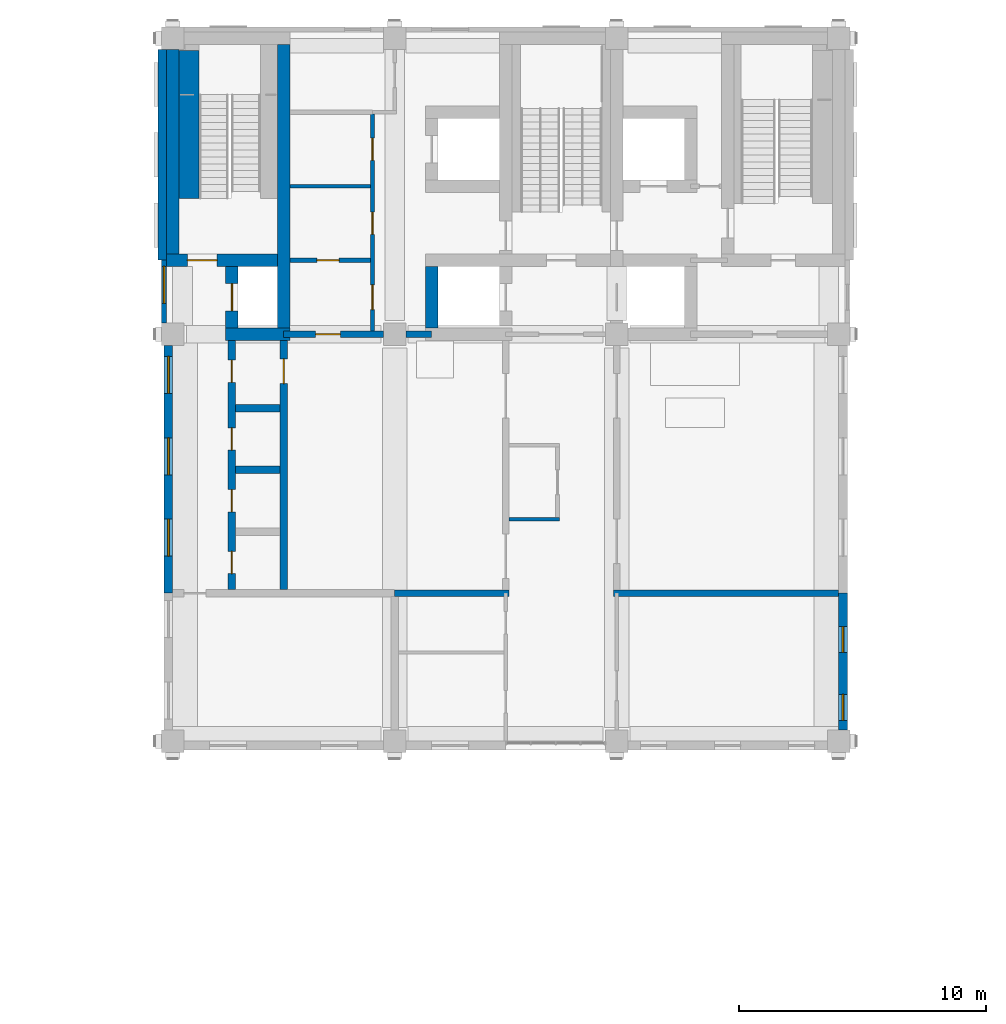
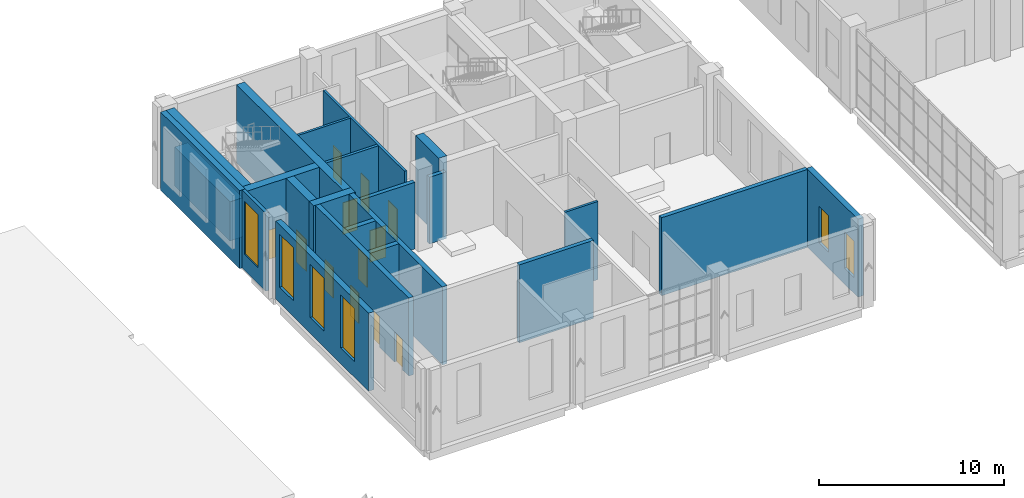
# One storey, part 21 of 33: 23 walls, 12 doors, 6 windows, 18 openings.
"""IFC4 building model written with IfcOpenShell, lengths in metres."""

from ifc_helpers import new_model, si_unit, direction, frame, frame_2d, origin, place, context, subcontext, project, spatial, rectangle, extrude, material, layer, layer_set, type_object, element, fill, save


model = new_model("IFC4")

# Units and contexts
model_context = context("Model", 3, precision=1e-05, world=origin(), true_north=direction((0.0, 1.0)))
body_context = subcontext(model_context, "Body", "Model", "MODEL_VIEW")
ifc_project = project(units=[si_unit("LENGTHUNIT", "METRE"), si_unit("AREAUNIT", "SQUARE_METRE"), si_unit("VOLUMEUNIT", "CUBIC_METRE"), si_unit("PLANEANGLEUNIT", "RADIAN"), si_unit("MASSUNIT", "GRAM", prefix="KILO")], contexts=[model_context])

# Site, building, storey
site_placement = place(None, origin())
site = spatial("IfcSite", under=ifc_project, at=site_placement, CompositionType="ELEMENT")
building_placement = place(site_placement, origin())
building = spatial("IfcBuilding", under=site, at=building_placement, Name="Aurelan Courthouse", CompositionType="ELEMENT")
storey_placement = place(building_placement, frame((0.0, 0.0, 22.800048828125)))
storey = spatial("IfcBuildingStorey", under=building, at=storey_placement, Name="L04", CompositionType="ELEMENT", Elevation=22.800048828125)

# Wall, opening, door
ifc_material_1 = material(Name="Gypsum board on metal studs")
ifc_layer_1 = layer(ifc_material_1, 0.175048828125)
ifc_layer_set_1 = layer_set([ifc_layer_1], Name="Gypsum board on metal studs")
wall_type_1 = type_object("IfcWallType", Name="Chambers acoustic partition 175 NOT RATED", PredefinedType="PARTITIONING", material=ifc_layer_set_1)
wall_1_placement = place(storey_placement, frame((40.75, 57.0, 0.0), z_axis=(0.0, 0.0, 1.0), x_axis=(1.0, 0.0, 0.0)))
wall_1 = element("IfcWall", 1, at=wall_1_placement, inside=storey, type_object=wall_type_1, Name="Chambers acoustic partition L04-032", PredefinedType="PARTITIONING", context=body_context, shape_type="SweptSolid", body=[
    extrude(rectangle(XDim=3.27490234375, YDim=0.175048828125, at=frame_2d((1.637451171875, 0.0))), origin(), (0.0, 0.0, 1.0), 5.14990234375),
])
opening_1_placement = place(wall_1_placement, frame((2.0, 0.0, 0.0), z_axis=(0.0, 0.0, 1.0), x_axis=(-1.0, 0.0, 0.0)))
opening_1 = element("IfcOpeningElement", 2, at=opening_1_placement, cuts=wall_1, Name="Opening D-L04-029", PredefinedType="OPENING", context=body_context, shape_type="SweptSolid", body=[
    extrude(rectangle(XDim=0.89990234375, YDim=2.10009765625, at=frame_2d((0.449951171875, 1.050048828125))), frame((0.0, 0.097412109375, 0.0), z_axis=(0.0, -1.0, 0.0), x_axis=(1.0, 0.0, 0.0)), (0.0, 0.0, 1.0), 0.195068359375),
])
ifc_material_2 = material(Name="Timber", Category="wood")
door_type_1 = type_object("IfcDoorType", Name="Single door 900 x 2100 NOT RATED", OperationType="SINGLE_SWING_LEFT", PredefinedType="DOOR", material=ifc_material_2)
door_1_placement = place(opening_1_placement, origin())
door_1 = element("IfcDoor", 3, at=door_1_placement, inside=storey, type_object=door_type_1, Name="Single door D-L04-029", OperationType="SINGLE_SWING_LEFT", OverallHeight=2.10009765625, OverallWidth=0.89990234375, PredefinedType="DOOR", context=body_context, shape_type="SweptSolid", body=[
    extrude(rectangle(XDim=0.89990234375, YDim=2.10009765625, at=frame_2d((0.449951171875, 1.050048828125))), frame((0.0, 0.02490234375, 0.0), z_axis=(0.0, -1.0, 0.0), x_axis=(1.0, 0.0, 0.0)), (0.0, 0.0, 1.0), 0.050048828125),
])
fill(opening_1, door_1)

# Wall
ifc_layer_2 = layer(ifc_material_1, 0.14990234375)
ifc_layer_set_2 = layer_set([ifc_layer_2], Name="Gypsum board on metal studs")
wall_type_2 = type_object("IfcWallType", Name="Corridor partition 150 EI 60", PredefinedType="PARTITIONING", material=ifc_layer_set_2)
wall_2_placement = place(storey_placement, frame((49.625, 46.5, 0.0), z_axis=(0.0, 0.0, 1.0), x_axis=(1.0, 0.0, 0.0)))
element("IfcWall", 4, at=wall_2_placement, inside=storey, type_object=wall_type_2, Name="Corridor partition L04-018", PredefinedType="PARTITIONING", context=body_context, shape_type="SweptSolid", body=[
    extrude(rectangle(XDim=2.050048828125, YDim=0.14990234375, at=frame_2d((1.02490234375, 0.0))), origin(), (0.0, 0.0, 1.0), 5.14990234375),
])

# Wall, openings, doors
wall_3_placement = place(storey_placement, frame((44.10009765625, 54.125, 0.0), z_axis=(0.0, 0.0, 1.0), x_axis=(0.0, 1.0, 0.0)))
wall_3 = element("IfcWall", 5, at=wall_3_placement, inside=storey, type_object=wall_type_2, Name="Corridor partition L04-052", PredefinedType="PARTITIONING", context=body_context, shape_type="SweptSolid", body=[
    extrude(rectangle(XDim=8.800048828125, YDim=0.14990234375, at=frame_2d((4.39990234375, 0.0))), origin(), (0.0, 0.0, 1.0), 5.14990234375),
])
opening_2_placement = place(wall_3_placement, frame((0.875, 0.0, 0.0)))
opening_2 = element("IfcOpeningElement", 6, at=opening_2_placement, cuts=wall_3, Name="Opening D-L04-027", PredefinedType="OPENING", context=body_context, shape_type="SweptSolid", body=[
    extrude(rectangle(XDim=1.0, YDim=2.10009765625, at=frame_2d((0.5, 1.050048828125))), frame((0.0, 0.0849609375, 0.0), z_axis=(0.0, -1.0, 0.0), x_axis=(1.0, 0.0, 0.0)), (0.0, 0.0, 1.0), 0.169921875),
])
opening_3_placement = place(wall_3_placement, frame((3.925048828125, 0.0, 0.0)))
opening_3 = element("IfcOpeningElement", 7, at=opening_3_placement, cuts=wall_3, Name="Opening D-L04-028", PredefinedType="OPENING", context=body_context, shape_type="SweptSolid", body=[
    extrude(rectangle(XDim=0.89990234375, YDim=2.10009765625, at=frame_2d((0.449951171875, 1.050048828125))), frame((0.0, 0.0849609375, 0.0), z_axis=(0.0, -1.0, 0.0), x_axis=(1.0, 0.0, 0.0)), (0.0, 0.0, 1.0), 0.169921875),
])
opening_4_placement = place(wall_3_placement, frame((6.925048828125, 0.0, 0.0)))
opening_4 = element("IfcOpeningElement", 8, at=opening_4_placement, cuts=wall_3, Name="Opening D-L04-030", PredefinedType="OPENING", context=body_context, shape_type="SweptSolid", body=[
    extrude(rectangle(XDim=0.89990234375, YDim=2.10009765625, at=frame_2d((0.449951171875, 1.050048828125))), frame((0.0, 0.0849609375, 0.0), z_axis=(0.0, -1.0, 0.0), x_axis=(1.0, 0.0, 0.0)), (0.0, 0.0, 1.0), 0.169921875),
])
ifc_material_3 = material(Name="Steel", Category="steel")
door_type_2 = type_object("IfcDoorType", Name="Single door 1000 x 2100 FD60", OperationType="SINGLE_SWING_LEFT", PredefinedType="DOOR", material=ifc_material_3)
door_2_placement = place(opening_2_placement, origin())
door_2 = element("IfcDoor", 9, at=door_2_placement, inside=storey, type_object=door_type_2, Name="Single door D-L04-027", OperationType="SINGLE_SWING_RIGHT", OverallHeight=2.10009765625, OverallWidth=1.0, PredefinedType="DOOR", context=body_context, shape_type="SweptSolid", body=[
    extrude(rectangle(XDim=1.0, YDim=2.10009765625, at=frame_2d((0.5, 1.050048828125))), frame((0.0, 0.02490234375, 0.0), z_axis=(0.0, -1.0, 0.0), x_axis=(1.0, 0.0, 0.0)), (0.0, 0.0, 1.0), 0.050048828125),
])
fill(opening_2, door_2)
door_type_3 = type_object("IfcDoorType", Name="Single door 900 x 2100 FD60", OperationType="SINGLE_SWING_LEFT", PredefinedType="DOOR", material=ifc_material_3)
door_3_placement = place(opening_3_placement, origin())
door_3 = element("IfcDoor", 10, at=door_3_placement, inside=storey, type_object=door_type_3, Name="Single door D-L04-028", OperationType="SINGLE_SWING_LEFT", OverallHeight=2.10009765625, OverallWidth=0.89990234375, PredefinedType="DOOR", context=body_context, shape_type="SweptSolid", body=[
    extrude(rectangle(XDim=0.89990234375, YDim=2.10009765625, at=frame_2d((0.449951171875, 1.050048828125))), frame((0.0, 0.02490234375, 0.0), z_axis=(0.0, -1.0, 0.0), x_axis=(1.0, 0.0, 0.0)), (0.0, 0.0, 1.0), 0.050048828125),
])
fill(opening_3, door_3)
door_4_placement = place(opening_4_placement, origin())
door_4 = element("IfcDoor", 11, at=door_4_placement, inside=storey, type_object=door_type_3, Name="Single door D-L04-030", OperationType="SINGLE_SWING_LEFT", OverallHeight=2.10009765625, OverallWidth=0.89990234375, PredefinedType="DOOR", context=body_context, shape_type="SweptSolid", body=[
    extrude(rectangle(XDim=0.89990234375, YDim=2.10009765625, at=frame_2d((0.449951171875, 1.050048828125))), frame((0.0, 0.02490234375, 0.0), z_axis=(0.0, -1.0, 0.0), x_axis=(1.0, 0.0, 0.0)), (0.0, 0.0, 1.0), 0.050048828125),
])
fill(opening_4, door_4)

# Wall, opening, window
ifc_material_4 = material(Name="Limestone cladding", Category="masonry")
ifc_layer_3 = layer(ifc_material_4, 0.054931640625, Name="Facing")
ifc_material_5 = material(Name="Ventilated cavity")
ifc_layer_4 = layer(ifc_material_5, 0.02490234375, ventilated=True, Name="Ventilated cavity")
ifc_material_6 = material(Name="Mineral wool insulation")
ifc_layer_5 = layer(ifc_material_6, 0.030029296875, Name="Insulation")
ifc_material_7 = material(Name="Concrete C30", Category="concrete")
ifc_layer_6 = layer(ifc_material_7, 0.090087890625, Name="Structure")
ifc_layer_set_3 = layer_set([ifc_layer_3, ifc_layer_4, ifc_layer_5, ifc_layer_6], Name="Concrete C30")
wall_type_3 = type_object("IfcWallType", Name="Courtroom Block stone-faced wall 200", PredefinedType="SOLIDWALL", material=ifc_layer_set_3)
wall_4_placement = place(storey_placement, frame((35.64990234375, 54.449951171875, 0.0), z_axis=(0.0, 0.0, 1.0), x_axis=(0.0, 1.0, 0.0)))
wall_4 = element("IfcWall", 12, at=wall_4_placement, inside=storey, type_object=wall_type_3, Name="Facade wall FW-V2-L04-013", PredefinedType="SOLIDWALL", context=body_context, shape_type="SweptSolid", body=[
    extrude(rectangle(XDim=2.550048828125, YDim=0.199951171875, at=frame_2d((1.27490234375, 0.0))), origin(), (0.0, 0.0, 1.0), 5.14990234375),
])
opening_5_placement = place(wall_4_placement, frame((0.800048828125, 0.0, 1.050048828125)))
opening_5 = element("IfcOpeningElement", 13, at=opening_5_placement, cuts=wall_4, Name="Opening WN-V2-L04-020", PredefinedType="OPENING", context=body_context, shape_type="SweptSolid", body=[
    extrude(rectangle(XDim=1.5, YDim=3.5, at=frame_2d((0.75, 1.75))), frame((0.0, 0.10986328125, 0.0), z_axis=(0.0, -1.0, 0.0), x_axis=(1.0, 0.0, 0.0)), (0.0, 0.0, 1.0), 0.219970703125),
])
ifc_material_8 = material(Name="Bronze-finished aluminium and glass", Category="aluminium")
window_type_1 = type_object("IfcWindowType", Name="Courtroom Block glazed slot 1500 x 3500, sill 1050", PartitioningType="SINGLE_PANEL", PredefinedType="WINDOW", material=ifc_material_8)
window_1_placement = place(opening_5_placement, origin())
window_1 = element("IfcWindow", 14, at=window_1_placement, inside=storey, type_object=window_type_1, Name="Glazed slot WN-V2-L04-020", OverallHeight=3.5, OverallWidth=1.5, PartitioningType="SINGLE_PANEL", PredefinedType="WINDOW", context=body_context, shape_type="SweptSolid", body=[
    extrude(rectangle(XDim=1.5, YDim=3.5, at=frame_2d((0.75, 1.75))), frame((0.0, 0.030029296875, 0.0), z_axis=(0.0, -1.0, 0.0), x_axis=(1.0, 0.0, 0.0)), (0.0, 0.0, 1.0), 0.06005859375),
])
fill(opening_5, window_1)

# Wall, openings, windows
ifc_layer_7 = layer(ifc_material_4, 0.10009765625, Name="Facing")
ifc_layer_8 = layer(ifc_material_5, 0.02490234375, ventilated=True, Name="Ventilated cavity")
ifc_layer_9 = layer(ifc_material_6, 0.050048828125, Name="Insulation")
ifc_layer_10 = layer(ifc_material_7, 0.175048828125, Name="Structure")
ifc_layer_set_4 = layer_set([ifc_layer_7, ifc_layer_8, ifc_layer_9, ifc_layer_10], Name="Concrete C30")
wall_type_4 = type_object("IfcWallType", Name="Courtroom Block stone-faced wall 350", PredefinedType="SOLIDWALL", material=ifc_layer_set_4)
wall_5_placement = place(storey_placement, frame((63.175048828125, 37.949951171875, 0.0), z_axis=(0.0, 0.0, 1.0), x_axis=(0.0, 1.0, 0.0)))
wall_5 = element("IfcWall", 15, at=wall_5_placement, inside=storey, type_object=wall_type_4, Name="Facade wall FW-V2-L04-007", PredefinedType="SOLIDWALL", context=body_context, shape_type="SweptSolid", body=[
    extrude(rectangle(XDim=5.550048828125, YDim=0.35009765625, at=frame_2d((2.77490234375, 0.0))), origin(), (0.0, 0.0, 1.0), 5.14990234375),
])
opening_6_placement = place(wall_5_placement, frame((0.39990234375, 0.0, 1.050048828125)))
opening_6 = element("IfcOpeningElement", 16, at=opening_6_placement, cuts=wall_5, Name="Opening WN-V2-L04-009", PredefinedType="OPENING", context=body_context, shape_type="SweptSolid", body=[
    extrude(rectangle(XDim=1.050048828125, YDim=2.39990234375, at=frame_2d((0.52490234375, 1.199951171875))), frame((0.0, 0.18505859375, 0.0), z_axis=(0.0, -1.0, 0.0), x_axis=(1.0, 0.0, 0.0)), (0.0, 0.0, 1.0), 0.3701171875),
])
opening_7_placement = place(wall_5_placement, frame((3.14990234375, 0.0, 1.050048828125)))
opening_7 = element("IfcOpeningElement", 17, at=opening_7_placement, cuts=wall_5, Name="Opening WN-V2-L04-010", PredefinedType="OPENING", context=body_context, shape_type="SweptSolid", body=[
    extrude(rectangle(XDim=1.050048828125, YDim=2.39990234375, at=frame_2d((0.52490234375, 1.199951171875))), frame((0.0, 0.18505859375, 0.0), z_axis=(0.0, -1.0, 0.0), x_axis=(1.0, 0.0, 0.0)), (0.0, 0.0, 1.0), 0.3701171875),
])
window_type_2 = type_object("IfcWindowType", Name="Courtroom Block window 1050 x 2400, sill 1050", PartitioningType="SINGLE_PANEL", PredefinedType="WINDOW", material=ifc_material_8)
window_2_placement = place(opening_6_placement, origin())
window_2 = element("IfcWindow", 18, at=window_2_placement, inside=storey, type_object=window_type_2, Name="Window WN-V2-L04-009", OverallHeight=2.39990234375, OverallWidth=1.050048828125, PartitioningType="SINGLE_PANEL", PredefinedType="WINDOW", context=body_context, shape_type="SweptSolid", body=[
    extrude(rectangle(XDim=1.050048828125, YDim=2.39990234375, at=frame_2d((0.52490234375, 1.199951171875))), frame((0.0, 0.030029296875, 0.0), z_axis=(0.0, -1.0, 0.0), x_axis=(1.0, 0.0, 0.0)), (0.0, 0.0, 1.0), 0.06005859375),
])
fill(opening_6, window_2)
window_3_placement = place(opening_7_placement, origin())
window_3 = element("IfcWindow", 19, at=window_3_placement, inside=storey, type_object=window_type_2, Name="Window WN-V2-L04-010", OverallHeight=2.39990234375, OverallWidth=1.050048828125, PartitioningType="SINGLE_PANEL", PredefinedType="WINDOW", context=body_context, shape_type="SweptSolid", body=[
    extrude(rectangle(XDim=1.050048828125, YDim=2.39990234375, at=frame_2d((0.52490234375, 1.199951171875))), frame((0.0, 0.030029296875, 0.0), z_axis=(0.0, -1.0, 0.0), x_axis=(1.0, 0.0, 0.0)), (0.0, 0.0, 1.0), 0.06005859375),
])
fill(opening_7, window_3)

wall_6_placement = place(storey_placement, frame((35.824951171875, 43.5, 0.0), z_axis=(0.0, 0.0, 1.0), x_axis=(0.0, 1.0, 0.0)))
wall_6 = element("IfcWall", 20, at=wall_6_placement, inside=storey, type_object=wall_type_4, Name="Facade wall FW-V2-L04-012", PredefinedType="SOLIDWALL", context=body_context, shape_type="SweptSolid", body=[
    extrude(rectangle(XDim=10.050048828125, YDim=0.35009765625, at=frame_2d((5.02490234375, 0.0))), origin(), (0.0, 0.0, 1.0), 5.14990234375),
])
opening_8_placement = place(wall_6_placement, frame((1.5, 0.0, 1.050048828125)))
opening_8 = element("IfcOpeningElement", 21, at=opening_8_placement, cuts=wall_6, Name="Opening WN-V2-L04-017", PredefinedType="OPENING", context=body_context, shape_type="SweptSolid", body=[
    extrude(rectangle(XDim=1.5, YDim=3.5, at=frame_2d((0.75, 1.75))), frame((0.0, 0.18505859375, 0.0), z_axis=(0.0, -1.0, 0.0), x_axis=(1.0, 0.0, 0.0)), (0.0, 0.0, 1.0), 0.3701171875),
])
opening_9_placement = place(wall_6_placement, frame((4.800048828125, 0.0, 1.050048828125)))
opening_9 = element("IfcOpeningElement", 22, at=opening_9_placement, cuts=wall_6, Name="Opening WN-V2-L04-018", PredefinedType="OPENING", context=body_context, shape_type="SweptSolid", body=[
    extrude(rectangle(XDim=1.5, YDim=3.5, at=frame_2d((0.75, 1.75))), frame((0.0, 0.18505859375, 0.0), z_axis=(0.0, -1.0, 0.0), x_axis=(1.0, 0.0, 0.0)), (0.0, 0.0, 1.0), 0.3701171875),
])
opening_10_placement = place(wall_6_placement, frame((8.10009765625, 0.0, 1.050048828125)))
opening_10 = element("IfcOpeningElement", 23, at=opening_10_placement, cuts=wall_6, Name="Opening WN-V2-L04-019", PredefinedType="OPENING", context=body_context, shape_type="SweptSolid", body=[
    extrude(rectangle(XDim=1.5, YDim=3.5, at=frame_2d((0.75, 1.75))), frame((0.0, 0.18505859375, 0.0), z_axis=(0.0, -1.0, 0.0), x_axis=(1.0, 0.0, 0.0)), (0.0, 0.0, 1.0), 0.3701171875),
])
window_4_placement = place(opening_8_placement, origin())
window_4 = element("IfcWindow", 24, at=window_4_placement, inside=storey, type_object=window_type_1, Name="Glazed slot WN-V2-L04-017", OverallHeight=3.5, OverallWidth=1.5, PartitioningType="SINGLE_PANEL", PredefinedType="WINDOW", context=body_context, shape_type="SweptSolid", body=[
    extrude(rectangle(XDim=1.5, YDim=3.5, at=frame_2d((0.75, 1.75))), frame((0.0, 0.030029296875, 0.0), z_axis=(0.0, -1.0, 0.0), x_axis=(1.0, 0.0, 0.0)), (0.0, 0.0, 1.0), 0.06005859375),
])
fill(opening_8, window_4)
window_5_placement = place(opening_9_placement, origin())
window_5 = element("IfcWindow", 25, at=window_5_placement, inside=storey, type_object=window_type_1, Name="Glazed slot WN-V2-L04-018", OverallHeight=3.5, OverallWidth=1.5, PartitioningType="SINGLE_PANEL", PredefinedType="WINDOW", context=body_context, shape_type="SweptSolid", body=[
    extrude(rectangle(XDim=1.5, YDim=3.5, at=frame_2d((0.75, 1.75))), frame((0.0, 0.030029296875, 0.0), z_axis=(0.0, -1.0, 0.0), x_axis=(1.0, 0.0, 0.0)), (0.0, 0.0, 1.0), 0.06005859375),
])
fill(opening_9, window_5)
window_6_placement = place(opening_10_placement, origin())
window_6 = element("IfcWindow", 26, at=window_6_placement, inside=storey, type_object=window_type_1, Name="Glazed slot WN-V2-L04-019", OverallHeight=3.5, OverallWidth=1.5, PartitioningType="SINGLE_PANEL", PredefinedType="WINDOW", context=body_context, shape_type="SweptSolid", body=[
    extrude(rectangle(XDim=1.5, YDim=3.5, at=frame_2d((0.75, 1.75))), frame((0.0, 0.030029296875, 0.0), z_axis=(0.0, -1.0, 0.0), x_axis=(1.0, 0.0, 0.0)), (0.0, 0.0, 1.0), 0.06005859375),
])
fill(opening_10, window_6)

# Walls
wall_7_placement = place(storey_placement, frame((35.574951171875, 57.0, 0.0), z_axis=(0.0, 0.0, 1.0), x_axis=(0.0, 1.0, 0.0)))
element("IfcWall", 27, at=wall_7_placement, inside=storey, type_object=wall_type_4, Name="Facade wall FW-V2-L04-014", PredefinedType="SOLIDWALL", context=body_context, shape_type="SweptSolid", body=[
    extrude(rectangle(XDim=8.550048828125, YDim=0.35009765625, at=frame_2d((4.27490234375, 0.0))), origin(), (0.0, 0.0, 1.0), 5.14990234375),
])
ifc_material_9 = material(Name="Masonry block", Category="masonry")
ifc_layer_11 = layer(ifc_material_9, 0.25)
ifc_layer_set_5 = layer_set([ifc_layer_11], Name="Masonry block")
wall_type_5 = type_object("IfcWallType", Name="Courtroom wall 250 EI 60", PredefinedType="PARTITIONING", material=ifc_layer_set_5)
wall_8_placement = place(storey_placement, frame((45.0, 43.5, 0.0), z_axis=(0.0, 0.0, 1.0), x_axis=(1.0, 0.0, 0.0)))
element("IfcWall", 28, at=wall_8_placement, inside=storey, type_object=wall_type_5, Name="Courtroom wall L04-015", PredefinedType="PARTITIONING", context=body_context, shape_type="SweptSolid", body=[
    extrude(rectangle(XDim=4.625, YDim=0.25, at=frame_2d((2.3125, 0.0))), origin(), (0.0, 0.0, 1.0), 5.14990234375),
])
wall_9_placement = place(storey_placement, frame((53.875, 43.5, 0.0), z_axis=(0.0, 0.0, 1.0), x_axis=(1.0, 0.0, 0.0)))
element("IfcWall", 29, at=wall_9_placement, inside=storey, type_object=wall_type_5, Name="Courtroom wall L04-016", PredefinedType="PARTITIONING", context=body_context, shape_type="SweptSolid", body=[
    extrude(rectangle(XDim=9.125, YDim=0.25, at=frame_2d((4.5625, 0.0))), origin(), (0.0, 0.0, 1.0), 5.14990234375),
])

# Wall, opening, door
wall_10_placement = place(storey_placement, frame((40.5, 54.0, 0.0), z_axis=(0.0, 0.0, 1.0), x_axis=(1.0, 0.0, 0.0)))
wall_10 = element("IfcWall", 30, at=wall_10_placement, inside=storey, type_object=wall_type_5, Name="Courtroom wall L04-022", PredefinedType="PARTITIONING", context=body_context, shape_type="SweptSolid", body=[
    extrude(rectangle(XDim=4.050048828125, YDim=0.25, at=frame_2d((2.02490234375, 0.0))), origin(), (0.0, 0.0, 1.0), 4.39990234375),
])
opening_11_placement = place(wall_10_placement, frame((2.300048828125, 0.0, 0.0), z_axis=(0.0, 0.0, 1.0), x_axis=(-1.0, 0.0, 0.0)))
opening_11 = element("IfcOpeningElement", 31, at=opening_11_placement, cuts=wall_10, Name="Opening D-L04-032", PredefinedType="OPENING", context=body_context, shape_type="SweptSolid", body=[
    extrude(rectangle(XDim=1.0, YDim=2.10009765625, at=frame_2d((0.5, 1.050048828125))), frame((0.0, 0.135009765625, 0.0), z_axis=(0.0, -1.0, 0.0), x_axis=(1.0, 0.0, 0.0)), (0.0, 0.0, 1.0), 0.27001953125),
])
door_type_4 = type_object("IfcDoorType", Name="Single door 1000 x 2100 FD30", OperationType="SINGLE_SWING_LEFT", PredefinedType="DOOR", material=ifc_material_3)
door_5_placement = place(opening_11_placement, origin())
door_5 = element("IfcDoor", 32, at=door_5_placement, inside=storey, type_object=door_type_4, Name="Single door D-L04-032", OperationType="SINGLE_SWING_RIGHT", OverallHeight=2.10009765625, OverallWidth=1.0, PredefinedType="DOOR", context=body_context, shape_type="SweptSolid", body=[
    extrude(rectangle(XDim=1.0, YDim=2.10009765625, at=frame_2d((0.5, 1.050048828125))), frame((0.0, 0.02490234375, 0.0), z_axis=(0.0, -1.0, 0.0), x_axis=(1.0, 0.0, 0.0)), (0.0, 0.0, 1.0), 0.050048828125),
])
fill(opening_11, door_5)

# Walls
wall_11_placement = place(storey_placement, frame((45.449951171875, 54.0, 0.0), z_axis=(0.0, 0.0, 1.0), x_axis=(1.0, 0.0, 0.0)))
element("IfcWall", 33, at=wall_11_placement, inside=storey, type_object=wall_type_5, Name="Courtroom wall L04-023", PredefinedType="PARTITIONING", context=body_context, shape_type="SweptSolid", body=[
    extrude(rectangle(XDim=1.050048828125, YDim=0.25, at=frame_2d((0.52490234375, 0.0))), origin(), (0.0, 0.0, 1.0), 4.39990234375),
])
ifc_layer_12 = layer(ifc_material_7, 0.300048828125)
ifc_layer_set_6 = layer_set([ifc_layer_12], Name="Concrete C30")
wall_type_6 = type_object("IfcWallType", Name="Custody wall 300 EI 120", PredefinedType="PARTITIONING", material=ifc_layer_set_6)
for number, where, z_axis, x_axis, name in (
    (34, (38.550048828125, 48.5, 0.0), (0.0, 0.0, 1.0), (1.0, 0.0, 0.0), "Custody wall L04-019"),
    (35, (38.550048828125, 51.0, 0.0), (0.0, 0.0, 1.0), (1.0, 0.0, 0.0), "Custody wall L04-021"),
):
    element("IfcWall", number, at=place(storey_placement, frame(where, z_axis=z_axis, x_axis=x_axis)), inside=storey, type_object=wall_type_6, Name=name, PredefinedType="PARTITIONING", context=body_context, shape_type="SweptSolid", body=[
        extrude(rectangle(XDim=1.800048828125, YDim=0.300048828125, at=frame_2d((0.89990234375, 0.0))), origin(), (0.0, 0.0, 1.0), 5.14990234375),
    ])

# Wall, openings, doors
wall_12_placement = place(storey_placement, frame((38.39990234375, 43.64990234375, 0.0), z_axis=(0.0, 0.0, 1.0), x_axis=(0.0, 1.0, 0.0)))
wall_12 = element("IfcWall", 36, at=wall_12_placement, inside=storey, type_object=wall_type_6, Name="Custody wall L04-050", PredefinedType="PARTITIONING", context=body_context, shape_type="SweptSolid", body=[
    extrude(rectangle(XDim=10.35009765625, YDim=0.300048828125, at=frame_2d((5.175048828125, 0.0))), origin(), (0.0, 0.0, 1.0), 5.14990234375),
])
opening_12_placement = place(wall_12_placement, frame((1.5498046875, 0.0, 0.0), z_axis=(0.0, 0.0, 1.0), x_axis=(-1.0, 0.0, 0.0)))
opening_12 = element("IfcOpeningElement", 37, at=opening_12_placement, cuts=wall_12, Name="Opening D-L04-017", PredefinedType="OPENING", context=body_context, shape_type="SweptSolid", body=[
    extrude(rectangle(XDim=0.89990234375, YDim=2.0, at=frame_2d((0.449951171875, 1.0))), frame((0.0, 0.159912109375, 0.0), z_axis=(0.0, -1.0, 0.0), x_axis=(1.0, 0.0, 0.0)), (0.0, 0.0, 1.0), 0.320068359375),
])
opening_13_placement = place(wall_12_placement, frame((4.0498046875, 0.0, 0.0), z_axis=(0.0, 0.0, 1.0), x_axis=(-1.0, 0.0, 0.0)))
opening_13 = element("IfcOpeningElement", 38, at=opening_13_placement, cuts=wall_12, Name="Opening D-L04-018", PredefinedType="OPENING", context=body_context, shape_type="SweptSolid", body=[
    extrude(rectangle(XDim=0.89990234375, YDim=2.0, at=frame_2d((0.449951171875, 1.0))), frame((0.0, 0.159912109375, 0.0), z_axis=(0.0, -1.0, 0.0), x_axis=(1.0, 0.0, 0.0)), (0.0, 0.0, 1.0), 0.320068359375),
])
opening_14_placement = place(wall_12_placement, frame((6.5498046875, 0.0, 0.0), z_axis=(0.0, 0.0, 1.0), x_axis=(-1.0, 0.0, 0.0)))
opening_14 = element("IfcOpeningElement", 39, at=opening_14_placement, cuts=wall_12, Name="Opening D-L04-019", PredefinedType="OPENING", context=body_context, shape_type="SweptSolid", body=[
    extrude(rectangle(XDim=0.89990234375, YDim=2.0, at=frame_2d((0.449951171875, 1.0))), frame((0.0, 0.159912109375, 0.0), z_axis=(0.0, -1.0, 0.0), x_axis=(1.0, 0.0, 0.0)), (0.0, 0.0, 1.0), 0.320068359375),
])
opening_15_placement = place(wall_12_placement, frame((9.2998046875, 0.0, 0.0), z_axis=(0.0, 0.0, 1.0), x_axis=(-1.0, 0.0, 0.0)))
opening_15 = element("IfcOpeningElement", 40, at=opening_15_placement, cuts=wall_12, Name="Opening D-L04-020", PredefinedType="OPENING", context=body_context, shape_type="SweptSolid", body=[
    extrude(rectangle(XDim=0.89990234375, YDim=2.0, at=frame_2d((0.449951171875, 1.0))), frame((0.0, 0.159912109375, 0.0), z_axis=(0.0, -1.0, 0.0), x_axis=(1.0, 0.0, 0.0)), (0.0, 0.0, 1.0), 0.320068359375),
])
door_type_5 = type_object("IfcDoorType", Name="Single door 900 x 2000 FD90", OperationType="SINGLE_SWING_LEFT", PredefinedType="DOOR", material=ifc_material_3)
door_6_placement = place(opening_12_placement, origin())
door_6 = element("IfcDoor", 41, at=door_6_placement, inside=storey, type_object=door_type_5, Name="Single door D-L04-017", OperationType="SINGLE_SWING_LEFT", OverallHeight=2.0, OverallWidth=0.89990234375, PredefinedType="DOOR", context=body_context, shape_type="SweptSolid", body=[
    extrude(rectangle(XDim=0.89990234375, YDim=2.0, at=frame_2d((0.449951171875, 1.0))), frame((0.0, 0.02490234375, 0.0), z_axis=(0.0, -1.0, 0.0), x_axis=(1.0, 0.0, 0.0)), (0.0, 0.0, 1.0), 0.050048828125),
])
fill(opening_12, door_6)
door_7_placement = place(opening_13_placement, origin())
door_7 = element("IfcDoor", 42, at=door_7_placement, inside=storey, type_object=door_type_5, Name="Single door D-L04-018", OperationType="SINGLE_SWING_RIGHT", OverallHeight=2.0, OverallWidth=0.89990234375, PredefinedType="DOOR", context=body_context, shape_type="SweptSolid", body=[
    extrude(rectangle(XDim=0.89990234375, YDim=2.0, at=frame_2d((0.449951171875, 1.0))), frame((0.0, 0.02490234375, 0.0), z_axis=(0.0, -1.0, 0.0), x_axis=(1.0, 0.0, 0.0)), (0.0, 0.0, 1.0), 0.050048828125),
])
fill(opening_13, door_7)
door_8_placement = place(opening_14_placement, origin())
door_8 = element("IfcDoor", 43, at=door_8_placement, inside=storey, type_object=door_type_5, Name="Single door D-L04-019", OperationType="SINGLE_SWING_LEFT", OverallHeight=2.0, OverallWidth=0.89990234375, PredefinedType="DOOR", context=body_context, shape_type="SweptSolid", body=[
    extrude(rectangle(XDim=0.89990234375, YDim=2.0, at=frame_2d((0.449951171875, 1.0))), frame((0.0, 0.02490234375, 0.0), z_axis=(0.0, -1.0, 0.0), x_axis=(1.0, 0.0, 0.0)), (0.0, 0.0, 1.0), 0.050048828125),
])
fill(opening_14, door_8)
door_9_placement = place(opening_15_placement, origin())
door_9 = element("IfcDoor", 44, at=door_9_placement, inside=storey, type_object=door_type_5, Name="Single door D-L04-020", OperationType="SINGLE_SWING_RIGHT", OverallHeight=2.0, OverallWidth=0.89990234375, PredefinedType="DOOR", context=body_context, shape_type="SweptSolid", body=[
    extrude(rectangle(XDim=0.89990234375, YDim=2.0, at=frame_2d((0.449951171875, 1.0))), frame((0.0, 0.02490234375, 0.0), z_axis=(0.0, -1.0, 0.0), x_axis=(1.0, 0.0, 0.0)), (0.0, 0.0, 1.0), 0.050048828125),
])
fill(opening_15, door_9)

# Wall, opening, door
wall_13_placement = place(storey_placement, frame((40.5, 43.64990234375, 0.0), z_axis=(0.0, 0.0, 1.0), x_axis=(0.0, 1.0, 0.0)))
wall_13 = element("IfcWall", 45, at=wall_13_placement, inside=storey, type_object=wall_type_6, Name="Custody wall L04-051", PredefinedType="PARTITIONING", context=body_context, shape_type="SweptSolid", body=[
    extrude(rectangle(XDim=10.35009765625, YDim=0.300048828125, at=frame_2d((5.175048828125, 0.0))), origin(), (0.0, 0.0, 1.0), 5.14990234375),
])
opening_16_placement = place(wall_13_placement, frame((9.35009765625, 0.0, 0.0), z_axis=(0.0, 0.0, 1.0), x_axis=(-1.0, 0.0, 0.0)))
opening_16 = element("IfcOpeningElement", 46, at=opening_16_placement, cuts=wall_13, Name="Opening D-L04-021", PredefinedType="OPENING", context=body_context, shape_type="SweptSolid", body=[
    extrude(rectangle(XDim=1.0, YDim=2.0, at=frame_2d((0.5, 1.0))), frame((0.0, 0.159912109375, 0.0), z_axis=(0.0, -1.0, 0.0), x_axis=(1.0, 0.0, 0.0)), (0.0, 0.0, 1.0), 0.320068359375),
])
door_type_6 = type_object("IfcDoorType", Name="Single door 1000 x 2000 FD90", OperationType="SINGLE_SWING_LEFT", PredefinedType="DOOR", material=ifc_material_3)
door_10_placement = place(opening_16_placement, origin())
door_10 = element("IfcDoor", 47, at=door_10_placement, inside=storey, type_object=door_type_6, Name="Single door D-L04-021", OperationType="SINGLE_SWING_LEFT", OverallHeight=2.0, OverallWidth=1.0, PredefinedType="DOOR", context=body_context, shape_type="SweptSolid", body=[
    extrude(rectangle(XDim=1.0, YDim=2.0, at=frame_2d((0.5, 1.0))), frame((0.0, 0.02490234375, 0.0), z_axis=(0.0, -1.0, 0.0), x_axis=(1.0, 0.0, 0.0)), (0.0, 0.0, 1.0), 0.050048828125),
])
fill(opening_16, door_10)

# Walls
ifc_layer_13 = layer(ifc_material_1, 0.14990234375)
ifc_layer_set_7 = layer_set([ifc_layer_13], Name="Gypsum board on metal studs")
wall_type_7 = type_object("IfcWallType", Name="Partition 150 NOT RATED", PredefinedType="PARTITIONING", material=ifc_layer_set_7)
wall_14_placement = place(storey_placement, frame((40.75, 60.0, 0.0), z_axis=(0.0, 0.0, 1.0), x_axis=(1.0, 0.0, 0.0)))
element("IfcWall", 48, at=wall_14_placement, inside=storey, type_object=wall_type_7, Name="Partition L04-036", PredefinedType="PARTITIONING", context=body_context, shape_type="SweptSolid", body=[
    extrude(rectangle(XDim=3.27490234375, YDim=0.14990234375, at=frame_2d((1.637451171875, 0.0))), origin(), (0.0, 0.0, 1.0), 5.14990234375),
])
ifc_material_10 = material(Name="Concrete C50", Category="concrete")
ifc_layer_14 = layer(ifc_material_10, 0.5)
ifc_layer_set_8 = layer_set([ifc_layer_14], Name="Concrete C50")
wall_type_8 = type_object("IfcWallType", Name="RC shear wall 500", PredefinedType="SHEAR", material=ifc_layer_set_8)
wall_15_placement = place(storey_placement, frame((38.14990234375, 54.0, 0.0), z_axis=(0.0, 0.0, 1.0), x_axis=(1.0, 0.0, 0.0)))
element("IfcWall", 49, at=wall_15_placement, inside=storey, type_object=wall_type_8, Name="Core wall SW-L04-016", PredefinedType="SHEAR", context=body_context, shape_type="SweptSolid", body=[
    extrude(rectangle(XDim=2.60009765625, YDim=0.5, at=frame_2d((1.300048828125, 0.0))), origin(), (0.0, 0.0, 1.0), 5.14990234375),
])

# Wall, opening, door
wall_16_placement = place(storey_placement, frame((38.39990234375, 54.25, 0.0), z_axis=(0.0, 0.0, 1.0), x_axis=(0.0, 1.0, 0.0)))
wall_16 = element("IfcWall", 50, at=wall_16_placement, inside=storey, type_object=wall_type_8, Name="Core wall SW-L04-019", PredefinedType="SHEAR", context=body_context, shape_type="SweptSolid", body=[
    extrude(rectangle(XDim=2.5, YDim=0.5, at=frame_2d((1.25, 0.0))), origin(), (0.0, 0.0, 1.0), 5.14990234375),
])
opening_17_placement = place(wall_16_placement, frame((0.699951171875, 0.0, 0.0)))
opening_17 = element("IfcOpeningElement", 51, at=opening_17_placement, cuts=wall_16, Name="Opening LD-V2-C1-L04", PredefinedType="OPENING", context=body_context, shape_type="SweptSolid", body=[
    extrude(rectangle(XDim=1.10009765625, YDim=2.10009765625, at=frame_2d((0.550048828125, 1.050048828125))), frame((0.0, 0.260009765625, 0.0), z_axis=(0.0, -1.0, 0.0), x_axis=(1.0, 0.0, 0.0)), (0.0, 0.0, 1.0), 0.52001953125),
])
door_type_7 = type_object("IfcDoorType", Name="Lift landing door 1100 x 2100 FD90", OperationType="SLIDING_TO_LEFT", PredefinedType="DOOR", material=ifc_material_3)
door_11_placement = place(opening_17_placement, origin())
door_11 = element("IfcDoor", 52, at=door_11_placement, inside=storey, type_object=door_type_7, Name="Lift landing door LD-V2-C1-L04", OperationType="SLIDING_TO_LEFT", OverallHeight=2.10009765625, OverallWidth=1.10009765625, PredefinedType="DOOR", context=body_context, shape_type="SweptSolid", body=[
    extrude(rectangle(XDim=1.10009765625, YDim=2.10009765625, at=frame_2d((0.550048828125, 1.050048828125))), frame((0.0, 0.02490234375, 0.0), z_axis=(0.0, -1.0, 0.0), x_axis=(1.0, 0.0, 0.0)), (0.0, 0.0, 1.0), 0.050048828125),
])
fill(opening_17, door_11)

# Walls
wall_17_placement = place(storey_placement, frame((40.5, 54.25, 0.0), z_axis=(0.0, 0.0, 1.0), x_axis=(0.0, 1.0, 0.0)))
element("IfcWall", 53, at=wall_17_placement, inside=storey, type_object=wall_type_8, Name="Core wall SW-L04-020", PredefinedType="SHEAR", context=body_context, shape_type="SweptSolid", body=[
    extrude(rectangle(XDim=11.5, YDim=0.5, at=frame_2d((5.75, 0.0))), origin(), (0.0, 0.0, 1.0), 5.14990234375),
])
wall_18_placement = place(storey_placement, frame((46.5, 54.25, 0.0), z_axis=(0.0, 0.0, 1.0), x_axis=(0.0, 1.0, 0.0)))
element("IfcWall", 54, at=wall_18_placement, inside=storey, type_object=wall_type_8, Name="Core wall SW-L04-021", PredefinedType="SHEAR", context=body_context, shape_type="SweptSolid", body=[
    extrude(rectangle(XDim=2.5, YDim=0.5, at=frame_2d((1.25, 0.0))), origin(), (0.0, 0.0, 1.0), 5.14990234375),
])

# Wall, opening, door
wall_19_placement = place(storey_placement, frame((35.75, 57.0, 0.0), z_axis=(0.0, 0.0, 1.0), x_axis=(1.0, 0.0, 0.0)))
wall_19 = element("IfcWall", 55, at=wall_19_placement, inside=storey, type_object=wall_type_8, Name="Core wall SW-L04-025", PredefinedType="SHEAR", context=body_context, shape_type="SweptSolid", body=[
    extrude(rectangle(XDim=4.5, YDim=0.5, at=frame_2d((2.25, 0.0))), origin(), (0.0, 0.0, 1.0), 5.14990234375),
])
opening_18_placement = place(wall_19_placement, frame((0.85009765625, 0.0, 0.0)))
opening_18 = element("IfcOpeningElement", 56, at=opening_18_placement, cuts=wall_19, Name="Opening D-L04-002", PredefinedType="OPENING", context=body_context, shape_type="SweptSolid", body=[
    extrude(rectangle(XDim=1.199951171875, YDim=2.10009765625, at=frame_2d((0.60009765625, 1.050048828125))), frame((0.0, 0.260009765625, 0.0), z_axis=(0.0, -1.0, 0.0), x_axis=(1.0, 0.0, 0.0)), (0.0, 0.0, 1.0), 0.52001953125),
])
door_type_8 = type_object("IfcDoorType", Name="Single door 1200 x 2100 FD90", OperationType="SINGLE_SWING_LEFT", PredefinedType="DOOR", material=ifc_material_3)
door_12_placement = place(opening_18_placement, origin())
door_12 = element("IfcDoor", 57, at=door_12_placement, inside=storey, type_object=door_type_8, Name="Single door D-L04-002", OperationType="SINGLE_SWING_LEFT", OverallHeight=2.10009765625, OverallWidth=1.199951171875, PredefinedType="DOOR", context=body_context, shape_type="SweptSolid", body=[
    extrude(rectangle(XDim=1.199951171875, YDim=2.10009765625, at=frame_2d((0.60009765625, 1.050048828125))), frame((0.0, 0.02490234375, 0.0), z_axis=(0.0, -1.0, 0.0), x_axis=(1.0, 0.0, 0.0)), (0.0, 0.0, 1.0), 0.050048828125),
])
fill(opening_18, door_12)

# Walls
wall_20_placement = place(storey_placement, frame((36.0, 57.25, 0.0), z_axis=(0.0, 0.0, 1.0), x_axis=(0.0, 1.0, 0.0)))
element("IfcWall", 58, at=wall_20_placement, inside=storey, type_object=wall_type_8, Name="Core wall SW-L04-030", PredefinedType="SHEAR", context=body_context, shape_type="SweptSolid", body=[
    extrude(rectangle(XDim=8.300048828125, YDim=0.5, at=frame_2d((4.14990234375, 0.0))), origin(), (0.0, 0.0, 1.0), 5.14990234375),
])
ifc_layer_15 = layer(ifc_material_7, 0.81005859375)
ifc_layer_set_9 = layer_set([ifc_layer_15], Name="Concrete C30")
wall_type_9 = type_object("IfcWallType", Name="Stair well wall 810 EI 120 load-bearing", PredefinedType="SHEAR", material=ifc_layer_set_9)
wall_21_placement = place(storey_placement, frame((36.655029296875, 59.510009765625, 0.0), z_axis=(0.0, 0.0, 1.0), x_axis=(0.0, 1.0, 0.0)))
element("IfcWall", 59, at=wall_21_placement, inside=storey, type_object=wall_type_9, Name="Stair well wall CS-2-L04 A", PredefinedType="SHEAR", context=body_context, shape_type="SweptSolid", body=[
    extrude(rectangle(XDim=5.989990234375, YDim=0.81005859375, at=frame_2d((2.9951171875, 0.0))), origin(), (0.0, 0.0, 1.0), 2.587158203125),
])

save(model, "model.ifc")
